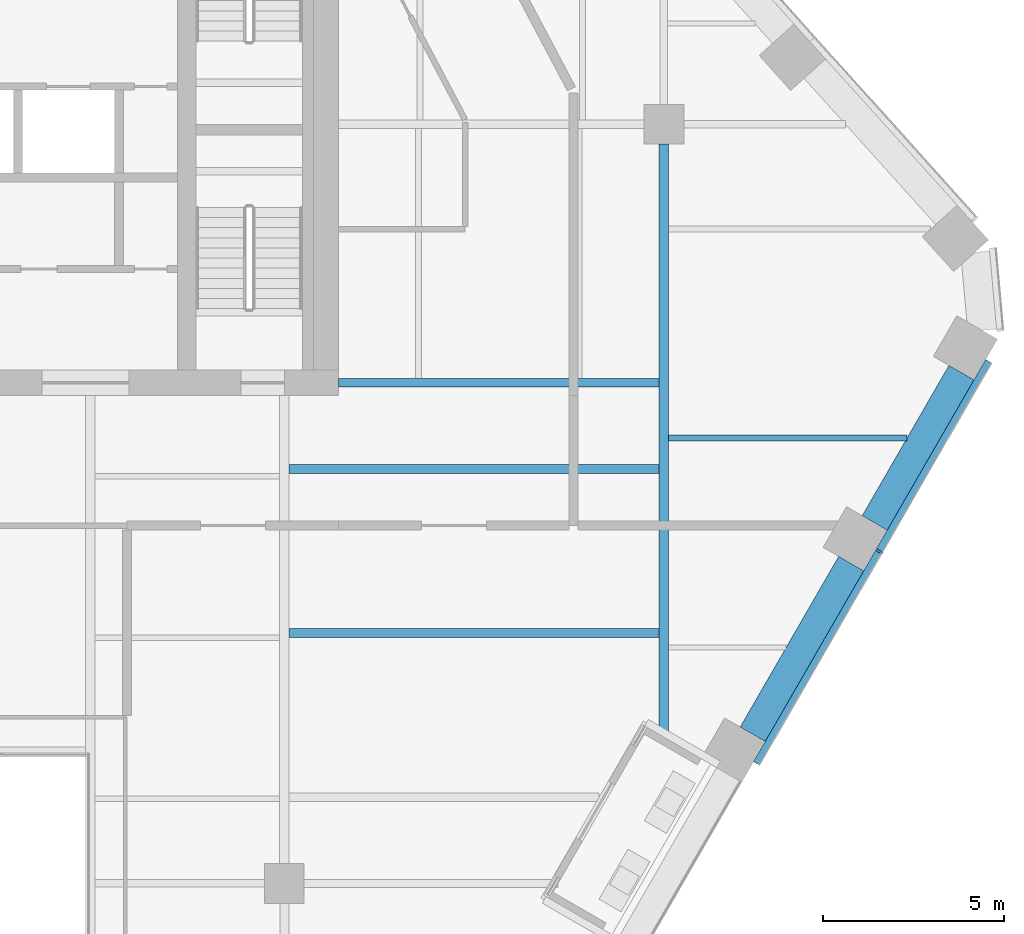
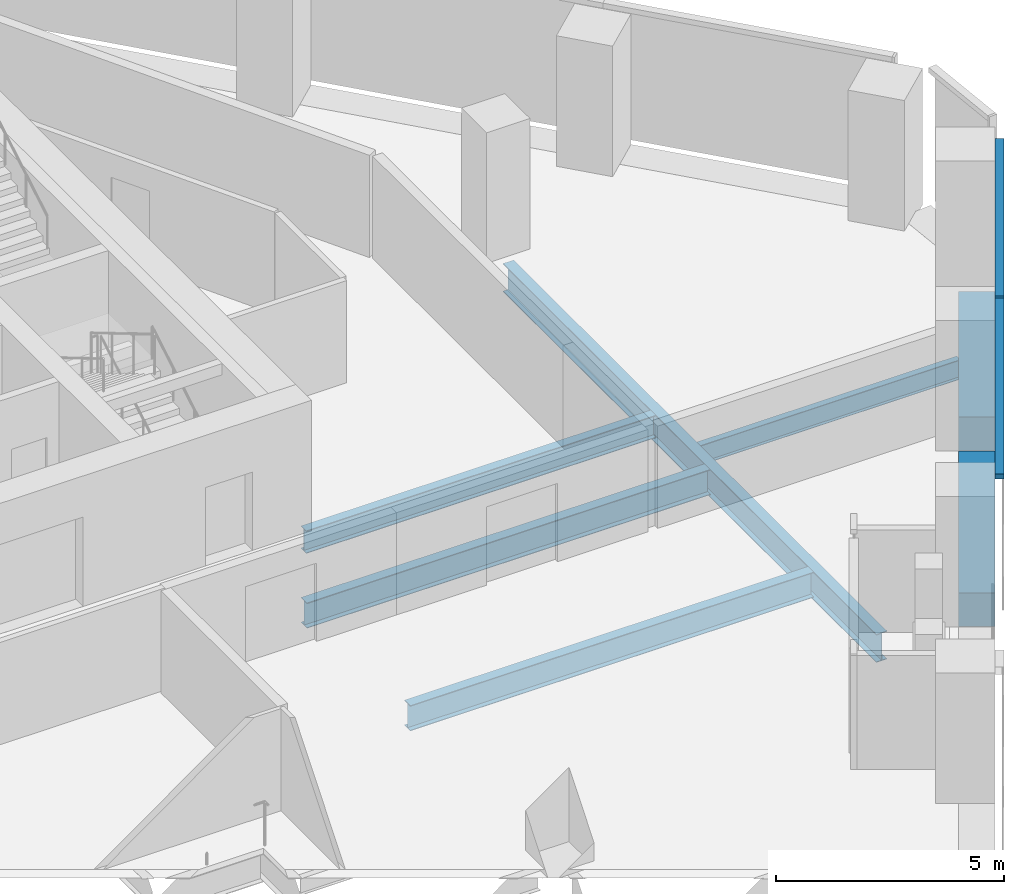
# One storey, part 6 of 25: 7 beams, 3 members, 1 element without a shape of its own.
"""IFC4 building model written with IfcOpenShell, lengths in metres."""

from ifc_helpers import new_model, si_unit, direction, frame, origin, origin_2d, place, context, subcontext, project, spatial, rectangle, i_section, extrude, material, layer, layer_set, material_profile, profile_set, type_object, element, aggregate, save


model = new_model("IFC4")

# Units and contexts
model_context = context("Model", 3, precision=1e-05, world=origin(), true_north=direction((0.0, 1.0)))
body_context = subcontext(model_context, "Body", "Model", "MODEL_VIEW")
ifc_project = project(units=[si_unit("LENGTHUNIT", "METRE"), si_unit("AREAUNIT", "SQUARE_METRE"), si_unit("VOLUMEUNIT", "CUBIC_METRE"), si_unit("PLANEANGLEUNIT", "RADIAN"), si_unit("MASSUNIT", "GRAM", prefix="KILO")], contexts=[model_context])

# Site, building, storey
site_placement = place(None, origin())
site = spatial("IfcSite", under=ifc_project, at=site_placement, CompositionType="ELEMENT")
building_placement = place(site_placement, origin())
building = spatial("IfcBuilding", under=site, at=building_placement, Name="Isthmus Gate Tower", CompositionType="ELEMENT")
storey_placement = place(building_placement, frame((0.0, 0.0, 174.449951171875)))
storey = spatial("IfcBuildingStorey", under=building, at=storey_placement, Name="L43", CompositionType="ELEMENT", Elevation=174.449951171875)

# Curtain wall, members
ifc_material_1 = material(Name="Aluminium, pale champagne anodised", Category="aluminium")
ifc_layer = layer(ifc_material_1, 0.199951171875)
ifc_layer_set = layer_set([ifc_layer], Name="CW-1 UNITISED CURTAIN WALL 200 DEEP")
curtain_wall_type = type_object("IfcCurtainWallType", Name="CW-1 UNITISED CURTAIN WALL 200 DEEP", PredefinedType="NOTDEFINED", material=ifc_layer_set)
curtain_wall_placement = place(storey_placement, origin())
curtain_wall = element("IfcCurtainWall", 1, at=curtain_wall_placement, inside=storey, type_object=curtain_wall_type, Name="CW-1 SE L43", PredefinedType="NOTDEFINED")
ifc_material_2 = material(Name="Aluminium, pale champagne anodised", Category="aluminium")
ifc_material_profile_1 = material_profile(ifc_material_2, rectangle(XDim=0.06005859375, YDim=0.199951171875, at=origin_2d()), Name="60x200")
ifc_profile_set_1 = profile_set([ifc_material_profile_1], Name="Aluminium, pale champagne anodised")
member_type_1 = type_object("IfcMemberType", Name="CW-1 MULLION 60 X 200", PredefinedType="MULLION", material=ifc_profile_set_1)
member_1_placement = place(storey_placement, frame((29.956298828125, -4.314208984375, 0.0), z_axis=(0.0, 0.0, 1.0), x_axis=(0.5, 0.866025403784, 0.0)))
member_1 = element("IfcMember", 2, at=member_1_placement, type_object=member_type_1, Name="CW-1 mullion", PredefinedType="MULLION", context=body_context, shape_type="SweptSolid", body=[
    extrude(rectangle(XDim=0.06005859375, YDim=0.199951171875, at=origin_2d()), origin(), (0.0, 0.0, 1.0), 3.650146484375),
])
ifc_material_3 = material(Name="Aluminium, pale champagne anodised", Category="aluminium")
ifc_material_profile_2 = material_profile(ifc_material_3, rectangle(XDim=0.199951171875, YDim=0.139892578125, at=origin_2d()), Name="200x140")
ifc_profile_set_2 = profile_set([ifc_material_profile_2], Name="Aluminium, pale champagne anodised")
member_type_2 = type_object("IfcMemberType", Name="CW-1 TRANSOM 200 X 140", PredefinedType="USERDEFINED", material=ifc_profile_set_2)
member_2_placement = place(storey_placement, frame((26.566162109375, -10.18603515625, 3.580078125), z_axis=(0.499997969693, 0.866026575979, 0.0), x_axis=(-0.866026575979, 0.499997969693, 0.0)))
member_2 = element("IfcMember", 3, at=member_2_placement, type_object=member_type_2, Name="CW-1 transom", ObjectType="TRANSOM", PredefinedType="USERDEFINED", context=body_context, shape_type="SweptSolid", body=[
    extrude(rectangle(XDim=0.199951171875, YDim=0.139892578125, at=origin_2d()), origin(), (0.0, 0.0, 1.0), 6.75),
])
member_3_placement = place(storey_placement, frame((29.97119140625, -4.288330078125, 3.580078125), z_axis=(0.499990697366, 0.866030774596, 0.0), x_axis=(-0.866030774596, 0.499990697366, 0.0)))
member_3 = element("IfcMember", 4, at=member_3_placement, type_object=member_type_2, Name="CW-1 transom", ObjectType="TRANSOM", PredefinedType="USERDEFINED", context=body_context, shape_type="SweptSolid", body=[
    extrude(rectangle(XDim=0.199951171875, YDim=0.139892578125, at=origin_2d()), origin(), (0.0, 0.0, 1.0), 6.0400390625),
])
aggregate(curtain_wall, [member_2, member_1, member_3])

# Beams
ifc_material_4 = material(Name="Concrete f'c 60 MPa", Category="concrete")
ifc_material_profile_3 = material_profile(ifc_material_4, rectangle(XDim=0.800048828125, YDim=0.89990234375, at=origin_2d()), Name="RC 800X900")
ifc_profile_set_3 = profile_set([ifc_material_profile_3], Name="Concrete f'c 60 MPa")
beam_type_1 = type_object("IfcBeamType", Name="RC SPANDREL 800 X 900", PredefinedType="SPANDREL", material=ifc_profile_set_3)
beam_1_placement = place(storey_placement, frame((32.2333984375, 0.629638671875, -0.449951171875), z_axis=(-0.500017431331, -0.866015339567, 0.0), x_axis=(0.866015339567, -0.500017431331, 0.0)))
element("IfcBeam", 5, at=beam_1_placement, inside=storey, type_object=beam_type_1, Name="str-spandrel-L43-06", PredefinedType="SPANDREL", context=body_context, shape_type="SweptSolid", body=[
    extrude(rectangle(XDim=0.800048828125, YDim=0.89990234375, at=origin_2d()), origin(), (0.0, 0.0, 1.0), 4.800048828125),
])
beam_2_placement = place(storey_placement, frame((29.18310546875, -4.653076171875, -0.449951171875), z_axis=(-0.49996933381, -0.866043108194, 0.0), x_axis=(0.866043108194, -0.49996933381, 0.0)))
element("IfcBeam", 6, at=beam_2_placement, inside=storey, type_object=beam_type_1, Name="str-spandrel-L43-07", PredefinedType="SPANDREL", context=body_context, shape_type="SweptSolid", body=[
    extrude(rectangle(XDim=0.800048828125, YDim=0.89990234375, at=origin_2d()), origin(), (0.0, 0.0, 1.0), 5.449951171875),
])
ifc_material_5 = material(Name="Structural steel ASTM A992 Gr 50", Category="steel")
ifc_material_profile_4 = material_profile(ifc_material_5, i_section(OverallWidth=0.1650390625, OverallDepth=0.52392578125, WebThickness=0.009521484375, FlangeThickness=0.010986328125, at=origin_2d()), Name="W21X44")
ifc_profile_set_4 = profile_set([ifc_material_profile_4], Name="Structural steel ASTM A992 Gr 50")
beam_type_2 = type_object("IfcBeamType", Name="STEEL FLOOR BEAM W21X44", PredefinedType="JOIST", material=ifc_profile_set_4)
beam_3_placement = place(storey_placement, frame((24.13330078125, -1.183837890625, -0.411865234375), z_axis=(1.0, 0.0, 0.0), x_axis=(0.0, 1.0, 0.0)))
element("IfcBeam", 7, at=beam_3_placement, inside=storey, type_object=beam_type_2, Name="str-beam-L43-21-01", PredefinedType="JOIST", context=body_context, shape_type="SweptSolid", body=[
    extrude(i_section(OverallWidth=0.1650390625, OverallDepth=0.52392578125, WebThickness=0.009521484375, FlangeThickness=0.010986328125, at=origin_2d()), origin(), (0.0, 0.0, 1.0), 6.591064453125),
])
ifc_material_6 = material(Name="Structural steel ASTM A992 Gr 50", Category="steel")
ifc_material_profile_5 = material_profile(ifc_material_6, i_section(OverallWidth=0.25390625, OverallDepth=0.679443359375, WebThickness=0.010986328125, FlangeThickness=0.015869140625, at=origin_2d()), Name="W27X84")
ifc_profile_set_5 = profile_set([ifc_material_profile_5], Name="Structural steel ASTM A992 Gr 50")
beam_type_3 = type_object("IfcBeamType", Name="STEEL FLOOR BEAM W27X84", PredefinedType="JOIST", material=ifc_profile_set_5)
for number, where, z_axis, x_axis, name in (
    (8, (13.6318359375, -6.574951171875, -0.48974609375), (1.0, 0.0, 0.0), (0.0, 1.0, 0.0), "str-beam-L43-16-01"),
    (9, (13.6318359375, -2.034423828125, -0.48974609375), (1.0, 0.0, 0.0), (0.0, 1.0, 0.0), "str-beam-L43-16-02"),
):
    element("IfcBeam", number, at=place(storey_placement, frame(where, z_axis=z_axis, x_axis=x_axis)), inside=storey, type_object=beam_type_3, Name=name, PredefinedType="JOIST", context=body_context, shape_type="SweptSolid", body=[
        extrude(i_section(OverallWidth=0.25390625, OverallDepth=0.679443359375, WebThickness=0.010986328125, FlangeThickness=0.015869140625, at=origin_2d()), origin(), (0.0, 0.0, 1.0), 10.23486328125),
    ])
ifc_material_7 = material(Name="Structural steel ASTM A992 Gr 50", Category="steel")
ifc_material_profile_6 = material_profile(ifc_material_7, i_section(OverallWidth=0.228515625, OverallDepth=0.6064453125, WebThickness=0.010986328125, FlangeThickness=0.017578125, at=origin_2d()), Name="W24X76")
ifc_profile_set_6 = profile_set([ifc_material_profile_6], Name="Structural steel ASTM A992 Gr 50")
beam_type_4 = type_object("IfcBeamType", Name="STEEL GIRDER W24X76", PredefinedType="BEAM", material=ifc_profile_set_6)
beam_4_placement = place(storey_placement, frame((15.0, 0.35009765625, -0.453125), z_axis=(1.0, 0.0, 0.0), x_axis=(0.0, 1.0, 0.0)))
element("IfcBeam", 10, at=beam_4_placement, inside=storey, type_object=beam_type_4, Name="str-girder-L43-14", PredefinedType="BEAM", context=body_context, shape_type="SweptSolid", body=[
    extrude(i_section(OverallWidth=0.228515625, OverallDepth=0.6064453125, WebThickness=0.010986328125, FlangeThickness=0.017578125, at=origin_2d()), origin(), (0.0, 0.0, 1.0), 8.86669921875),
])
ifc_material_8 = material(Name="Structural steel ASTM A992 Gr 50", Category="steel")
ifc_material_profile_7 = material_profile(ifc_material_8, i_section(OverallWidth=0.2666015625, OverallDepth=0.7587890625, WebThickness=0.014404296875, FlangeThickness=0.01904296875, at=origin_2d()), Name="W30X108")
ifc_profile_set_7 = profile_set([ifc_material_profile_7], Name="Structural steel ASTM A992 Gr 50")
beam_type_5 = type_object("IfcBeamType", Name="STEEL GIRDER W30X108", PredefinedType="BEAM", material=ifc_profile_set_7)
beam_5_placement = place(storey_placement, frame((24.0, -9.455078125, -0.529296875), z_axis=(0.0, 1.0, 0.0), x_axis=(-1.0, 0.0, 0.0)))
element("IfcBeam", 11, at=beam_5_placement, inside=storey, type_object=beam_type_5, Name="str-girder-L43-11", PredefinedType="BEAM", context=body_context, shape_type="SweptSolid", body=[
    extrude(i_section(OverallWidth=0.2666015625, OverallDepth=0.7587890625, WebThickness=0.014404296875, FlangeThickness=0.01904296875, at=origin_2d()), origin(), (0.0, 0.0, 1.0), 16.405029296875),
])

save(model, "model.ifc")
